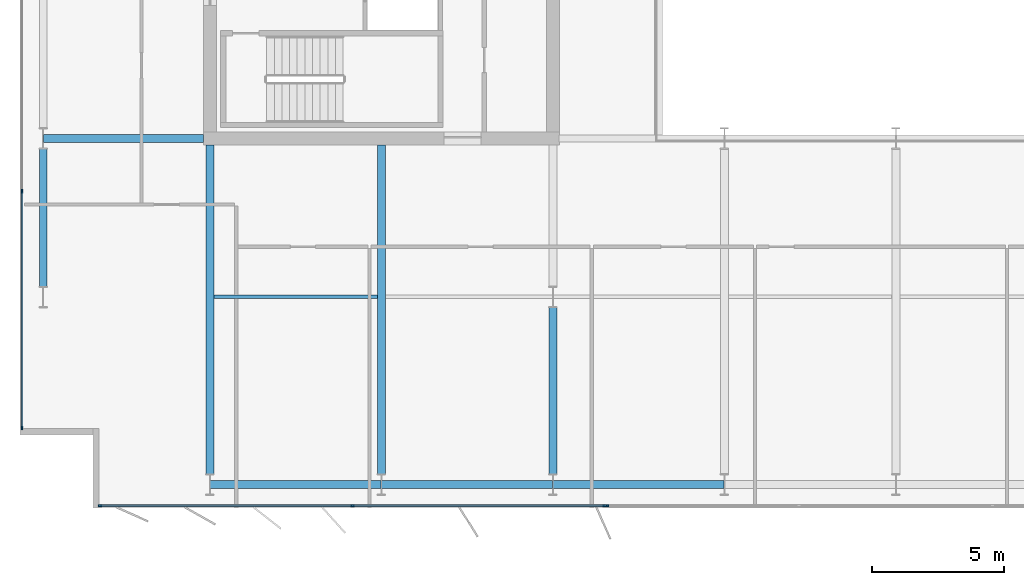
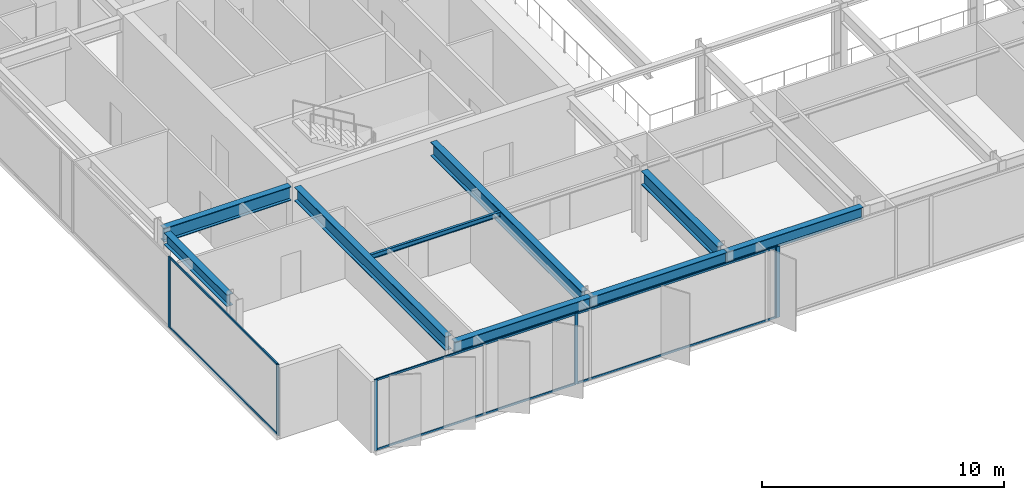
# One storey, part 3 of 24: 12 members, 9 beams, 3 elements without a shape of their own.
"""IFC4 building model written with IfcOpenShell, lengths in metres."""

import ifcopenshell
import ifcopenshell.guid

model = None  # the IFC model being written
_history = None  # IfcOwnerHistory: only IFC2X3 demands one
_inside = {}  # id of a spatial element -> (the spatial element, [elements in it])
_under = {}  # id of a project, library or spatial element -> (it, [spatial elements below it])
_declared = {}  # id of a project -> (the project, [libraries it declares])
_typed = {}  # id of a type object -> (the type object, [elements of that type])
_made_of = {}  # id of a material, layer set ... -> (it, [elements and type objects made of it])


def new_model(schema):
    """Start an empty IFC model of exactly this schema.

    Asked for "IFC4X3", IfcOpenShell would pick the latest addendum, in which some entities
    have other attributes; the version numbers below select the first issue.
    IFC2X3 requires an IfcOwnerHistory on every rooted entity: one is made here for all.
    """
    global model, _history
    if schema == "IFC4X3":
        model = ifcopenshell.file(schema_version=(4, 3, 0, 0))
    else:
        model = ifcopenshell.file(schema=schema)
    _inside.clear()
    _under.clear()
    _declared.clear()
    _typed.clear()
    _made_of.clear()
    _history = None
    if model.schema == "IFC2X3":
        org = make("IfcOrganization", Name="unknown")
        user = make(
            "IfcPersonAndOrganization",
            ThePerson=make("IfcPerson", FamilyName="unknown"),
            TheOrganization=org,
        )
        app = make(
            "IfcApplication",
            ApplicationDeveloper=org,
            Version="unknown",
            ApplicationFullName="unknown",
            ApplicationIdentifier="unknown",
        )
        _history = make(
            "IfcOwnerHistory",
            OwningUser=user,
            OwningApplication=app,
            ChangeAction="ADDED",
            CreationDate=0,
        )
    return model


def make(cls, **values):
    """One entity of the class cls with the attributes given. An attribute that is None is left unset."""
    return model.create_entity(
        cls, **{name: value for name, value in values.items() if value is not None}
    )


def rooted(cls, **values):
    """An entity with a GlobalId (a new one), such as an element, a storey or a relation."""
    return make(cls, GlobalId=ifcopenshell.guid.new(), OwnerHistory=_history, **values)


def si_unit(unit_type, name, prefix=None):
    """IfcSIUnit, for example si_unit("LENGTHUNIT", "METRE", prefix="MILLI")."""
    return make("IfcSIUnit", UnitType=unit_type, Prefix=prefix, Name=name)


def assignment(units):
    """IfcUnitAssignment: the units of a project."""
    return None if units is None else make("IfcUnitAssignment", Units=units)


def point(xyz):
    """IfcCartesianPoint."""
    return None if xyz is None else make("IfcCartesianPoint", Coordinates=xyz)


def direction(xyz):
    """IfcDirection."""
    return None if xyz is None else make("IfcDirection", DirectionRatios=xyz)


def frame(location, z_axis=None, x_axis=None):
    """IfcAxis2Placement3D, a coordinate frame: its origin and axes. An axis left out is left unset."""
    return make(
        "IfcAxis2Placement3D",
        Location=point(location),
        Axis=direction(z_axis),
        RefDirection=direction(x_axis),
    )


def frame_2d(location, x_axis=None):
    """IfcAxis2Placement2D, a coordinate frame in the plane: its origin and x axis."""
    return make(
        "IfcAxis2Placement2D", Location=point(location), RefDirection=direction(x_axis)
    )


def origin():
    """The frame at (0, 0, 0) with its axes left unset."""
    return frame((0.0, 0.0, 0.0))


def origin_2d():
    """The frame at (0, 0) in the plane with its x axis left unset."""
    return frame_2d((0.0, 0.0))


def place(relative_to, where):
    """IfcLocalPlacement: puts the frame where relative to a parent placement (None: the world)."""
    return make(
        "IfcLocalPlacement", PlacementRelTo=relative_to, RelativePlacement=where
    )


def context(
    kind, dimensions, precision=None, world=None, true_north=None, identifier=None
):
    """IfcGeometricRepresentationContext, for example the 3D "Model" context."""
    return make(
        "IfcGeometricRepresentationContext",
        ContextIdentifier=identifier,
        ContextType=kind,
        CoordinateSpaceDimension=dimensions,
        Precision=precision,
        WorldCoordinateSystem=world,
        TrueNorth=true_north,
    )


def subcontext(parent, identifier, kind, view, scale=None):
    """IfcGeometricRepresentationSubContext, for example "Body" below "Model"."""
    return make(
        "IfcGeometricRepresentationSubContext",
        ContextIdentifier=identifier,
        ContextType=kind,
        ParentContext=parent,
        TargetScale=scale,
        TargetView=view,
    )


def project(units=None, contexts=None):
    """IfcProject with its units and contexts."""
    return rooted(
        "IfcProject",
        Name="project",
        RepresentationContexts=contexts,
        UnitsInContext=assignment(units),
    )


def spatial(cls, under=None, at=None, **own):
    """A site, building, storey or space (cls), placed at a placement, below another one or the project."""
    s = rooted(cls, ObjectPlacement=at, **own)
    if under is not None:
        _under.setdefault(under.id(), (under, []))[1].append(s)
    return s


def profile(cls, at=None, kind="AREA", **sizes):
    """A parametric profile (cls). Its sizes go by their IFC names, for example OverallWidth=200.0."""
    return make(cls, ProfileType=kind, Position=at, **sizes)


def rectangle(**sizes):
    """IfcRectangleProfileDef."""
    return profile("IfcRectangleProfileDef", **sizes)


def i_section(**sizes):
    """IfcIShapeProfileDef."""
    return profile("IfcIShapeProfileDef", **sizes)


def extrude(swept, where, along, depth):
    """IfcExtrudedAreaSolid: the profile swept, set in the frame where, extruded along a direction by depth."""
    return make(
        "IfcExtrudedAreaSolid",
        SweptArea=swept,
        Position=where,
        ExtrudedDirection=direction(along),
        Depth=depth,
    )


def shape(context_of_items, identifier, shape_type, items):
    """IfcShapeRepresentation: the items that make up one representation, for example the "Body"."""
    return make(
        "IfcShapeRepresentation",
        ContextOfItems=context_of_items,
        RepresentationIdentifier=identifier,
        RepresentationType=shape_type,
        Items=items,
    )


def material(Name=None, Category=None):
    """IfcMaterial."""
    return make("IfcMaterial", Name=Name, Category=Category)


def layer(
    of_material, thickness, ventilated=None, Name=None, Category=None, Priority=None
):
    """IfcMaterialLayer: one layer of a wall or slab, of a material (None: an air gap)."""
    return make(
        "IfcMaterialLayer",
        Material=of_material,
        LayerThickness=thickness,
        IsVentilated=ventilated,
        Name=Name,
        Category=Category,
        Priority=Priority,
    )


def layer_set(layers, Name=None):
    """IfcMaterialLayerSet."""
    return make("IfcMaterialLayerSet", MaterialLayers=layers, LayerSetName=Name)


def material_profile(
    of_material, cross_section, Name=None, Category=None, Priority=None
):
    """IfcMaterialProfile: a cross section and its material."""
    return make(
        "IfcMaterialProfile",
        Name=Name,
        Material=of_material,
        Profile=cross_section,
        Priority=Priority,
        Category=Category,
    )


def profile_set(profiles, Name=None, composite=None):
    """IfcMaterialProfileSet."""
    return make(
        "IfcMaterialProfileSet",
        Name=Name,
        MaterialProfiles=profiles,
        CompositeProfile=composite,
    )


def made_of(thing, what):
    """Note that an element or type object is made of a material, layer set ...; save() writes the relation."""
    if what is not None:
        _made_of.setdefault(what.id(), (what, []))[1].append(thing)
    return thing


def type_object(cls, material=None, **own):
    """A type object (cls), such as IfcWallType, which elements share."""
    return made_of(rooted(cls, **own), material)


def element(
    cls,
    number,
    at=None,
    inside=None,
    cuts=None,
    type_object=None,
    material=None,
    context=None,
    identifier="Body",
    shape_type=None,
    held_by="IfcProductDefinitionShape",
    body=None,
    shapes=None,
    **own,
):
    """One element of the class cls, such as IfcWall. Its Tag is "e" and its number.

    at: its placement. inside: the storey or other place that contains it. cuts: it is an
    opening in that element (IfcRelVoidsElement). A single representation is given by context,
    identifier, shape_type and body (its items); several are given by shapes. held_by: the class
    of the entity that holds the representations. save() writes the other relations.
    """
    e = rooted(cls, Tag="e%d" % number, ObjectPlacement=at, **own)
    if body is not None:
        shapes = [shape(context, identifier, shape_type, body)]
    if shapes is not None:
        e.Representation = make(held_by, Representations=shapes)
    if inside is not None:
        _inside.setdefault(inside.id(), (inside, []))[1].append(e)
    if cuts is not None:
        rooted(
            "IfcRelVoidsElement", RelatingBuildingElement=cuts, RelatedOpeningElement=e
        )
    if type_object is not None:
        _typed.setdefault(type_object.id(), (type_object, []))[1].append(e)
    return made_of(e, material)


def aggregate(whole, parts):
    """IfcRelAggregates: a whole, such as a stair, and the parts it consists of."""
    return rooted("IfcRelAggregates", RelatingObject=whole, RelatedObjects=parts)


def save(model, path):
    """Write the relations noted so far, then the file.

    IfcRelAggregates (storeys below a building ...), IfcRelContainedInSpatialStructure (elements
    in a storey), IfcRelDefinesByType, IfcRelAssociatesMaterial and IfcRelDeclares: one each for
    every whole, place, type object, material and project.
    """
    for whole, parts in _under.values():
        aggregate(whole, parts)
    for where, things in _inside.values():
        rooted(
            "IfcRelContainedInSpatialStructure",
            RelatedElements=things,
            RelatingStructure=where,
        )
    for kind, things in _typed.values():
        rooted("IfcRelDefinesByType", RelatedObjects=things, RelatingType=kind)
    for what, things in _made_of.values():
        rooted("IfcRelAssociatesMaterial", RelatedObjects=things, RelatingMaterial=what)
    for by, libraries in _declared.values():
        rooted("IfcRelDeclares", RelatingContext=by, RelatedDefinitions=libraries)
    model.write(path)


model = new_model("IFC4")

# Units and contexts
model_context = context("Model", 3, precision=1e-05, world=origin(), true_north=direction((0.0, 1.0)))
body_context = subcontext(model_context, "Body", "Model", "MODEL_VIEW")
ifc_project = project(units=[si_unit("LENGTHUNIT", "METRE"), si_unit("AREAUNIT", "SQUARE_METRE"), si_unit("VOLUMEUNIT", "CUBIC_METRE"), si_unit("PLANEANGLEUNIT", "RADIAN"), si_unit("MASSUNIT", "GRAM", prefix="KILO")], contexts=[model_context])

# Site, building, storey
site_placement = place(None, origin())
site = spatial("IfcSite", under=ifc_project, at=site_placement, CompositionType="ELEMENT")
building_placement = place(site_placement, origin())
building = spatial("IfcBuilding", under=site, at=building_placement, Name="Putna Gate Headquarters", CompositionType="ELEMENT")
storey_placement = place(building_placement, frame((0.0, 0.0, 248.0)))
storey = spatial("IfcBuildingStorey", under=building, at=storey_placement, Name="L62", CompositionType="ELEMENT", Elevation=248.0)

# Beams
ifc_material_1 = material(Name="Steel S355J2", Category="steel")
ifc_material_profile_1 = material_profile(ifc_material_1, i_section(OverallWidth=0.300048828125, OverallDepth=0.699951171875, WebThickness=0.01708984375, FlangeThickness=0.031982421875, at=origin_2d()), Name="Steel S355J2")
ifc_profile_set_1 = profile_set([ifc_material_profile_1], Name="Steel S355J2")
beam_type_1 = type_object("IfcBeamType", Name="BM-GIRD-B-HEB700", PredefinedType="USERDEFINED", material=ifc_profile_set_1)
beam_1_placement = place(storey_placement, frame((6.68603515625, 19.0, 3.22998046875), z_axis=(1.0, 0.0, 0.0), x_axis=(0.0, 1.0, 0.0)))
element("IfcBeam", 1, at=beam_1_placement, inside=storey, type_object=beam_type_1, Name="L62 West Wing Girder Y19", ObjectType="GIRDER", PredefinedType="USERDEFINED", context=body_context, shape_type="SweptSolid", body=[
    extrude(i_section(OverallWidth=0.300048828125, OverallDepth=0.699951171875, WebThickness=0.01708984375, FlangeThickness=0.031982421875, at=origin_2d()), origin(), (0.0, 0.0, 1.0), 6.078857421875),
])
for number, where, z_axis, x_axis, name in (
    (2, (13.0, 6.27490234375, 3.22998046875), (0.0, 1.0, 0.0), (-1.0, 0.0, 0.0), "L62 South Primary Girder X13"),
    (3, (19.5, 6.27490234375, 3.22998046875), (0.0, 1.0, 0.0), (-1.0, 0.0, 0.0), "L62 South Primary Girder X19"),
):
    element("IfcBeam", number, at=place(storey_placement, frame(where, z_axis=z_axis, x_axis=x_axis)), inside=storey, type_object=beam_type_1, Name=name, ObjectType="GIRDER", PredefinedType="USERDEFINED", context=body_context, shape_type="SweptSolid", body=[
        extrude(i_section(OverallWidth=0.300048828125, OverallDepth=0.699951171875, WebThickness=0.01708984375, FlangeThickness=0.031982421875, at=origin_2d()), origin(), (0.0, 0.0, 1.0), 12.489990234375),
    ])
beam_2_placement = place(storey_placement, frame((26.0, 6.27490234375, 3.22998046875), z_axis=(0.0, 1.0, 0.0), x_axis=(-1.0, 0.0, 0.0)))
element("IfcBeam", 4, at=beam_2_placement, inside=storey, type_object=beam_type_1, Name="L62 South Primary Girder X26-1", ObjectType="GIRDER", PredefinedType="USERDEFINED", context=body_context, shape_type="SweptSolid", body=[
    extrude(i_section(OverallWidth=0.300048828125, OverallDepth=0.699951171875, WebThickness=0.01708984375, FlangeThickness=0.031982421875, at=origin_2d()), origin(), (0.0, 0.0, 1.0), 6.330078125),
])
ifc_material_profile_2 = material_profile(ifc_material_1, i_section(OverallWidth=0.1201171875, OverallDepth=0.239990234375, WebThickness=0.006103515625, FlangeThickness=0.009765625, at=origin_2d()), Name="Steel S355J2")
ifc_profile_set_2 = profile_set([ifc_material_profile_2], Name="Steel S355J2")
beam_type_2 = type_object("IfcBeamType", Name="BM-SEC-Z4-IPE240", PredefinedType="JOIST", material=ifc_profile_set_2)
beam_3_placement = place(storey_placement, frame((13.154052734375, 13.0, 3.4599609375), z_axis=(1.0, 0.0, 0.0), x_axis=(0.0, 1.0, 0.0)))
element("IfcBeam", 5, at=beam_3_placement, inside=storey, type_object=beam_type_2, Name="L62 South Secondary Beam 1", PredefinedType="JOIST", context=body_context, shape_type="SweptSolid", body=[
    extrude(i_section(OverallWidth=0.1201171875, OverallDepth=0.239990234375, WebThickness=0.006103515625, FlangeThickness=0.009765625, at=origin_2d()), origin(), (0.0, 0.0, 1.0), 6.19189453125),
])
ifc_material_profile_3 = material_profile(ifc_material_1, i_section(OverallWidth=0.300048828125, OverallDepth=0.590087890625, WebThickness=0.012939453125, FlangeThickness=0.02490234375, at=origin_2d()), Name="Steel S355J2")
ifc_profile_set_3 = profile_set([ifc_material_profile_3], Name="Steel S355J2")
beam_type_3 = type_object("IfcBeamType", Name="BM-SPAN-Z4-HEA600", PredefinedType="SPANDREL", material=ifc_profile_set_3)
for number, where, z_axis, x_axis, name in (
    (6, (13.006103515625, 5.8798828125, 3.284912109375), (1.0, 0.0, 0.0), (0.0, 1.0, 0.0), "L62 S Perimeter Spandrel 1"),
    (7, (19.506103515625, 5.8798828125, 3.284912109375), (1.0, 0.0, 0.0), (0.0, 1.0, 0.0), "L62 S Perimeter Spandrel 2"),
    (8, (26.006103515625, 5.8798828125, 3.284912109375), (1.0, 0.0, 0.0), (0.0, 1.0, 0.0), "L62 S Perimeter Spandrel 3"),
):
    element("IfcBeam", number, at=place(storey_placement, frame(where, z_axis=z_axis, x_axis=x_axis)), inside=storey, type_object=beam_type_3, Name=name, PredefinedType="SPANDREL", context=body_context, shape_type="SweptSolid", body=[
        extrude(i_section(OverallWidth=0.300048828125, OverallDepth=0.590087890625, WebThickness=0.012939453125, FlangeThickness=0.02490234375, at=origin_2d()), origin(), (0.0, 0.0, 1.0), 6.48779296875),
    ])
beam_4_placement = place(storey_placement, frame((6.679931640625, 13.39501953125, 3.284912109375), z_axis=(0.0, 1.0, 0.0), x_axis=(-1.0, 0.0, 0.0)))
element("IfcBeam", 9, at=beam_4_placement, inside=storey, type_object=beam_type_3, Name="L62 W End Spandrel 1", PredefinedType="SPANDREL", context=body_context, shape_type="SweptSolid", body=[
    extrude(i_section(OverallWidth=0.300048828125, OverallDepth=0.590087890625, WebThickness=0.012939453125, FlangeThickness=0.02490234375, at=origin_2d()), origin(), (0.0, 0.0, 1.0), 5.2099609375),
])

# Curtain wall, members
ifc_material_2 = material(Name="Anodised bronze aluminium curtain wall", Category="aluminium")
ifc_layer_1 = layer(ifc_material_2, 0.139892578125)
ifc_layer_set_1 = layer_set([ifc_layer_1], Name="Anodised bronze aluminium curtain wall")
curtain_wall_type_1 = type_object("IfcCurtainWallType", Name="CW-SYS-Z4", PredefinedType="USERDEFINED", material=ifc_layer_set_1)
curtain_wall_1_placement = place(storey_placement, origin())
curtain_wall_1 = element("IfcCurtainWall", 10, at=curtain_wall_1_placement, inside=storey, type_object=curtain_wall_type_1, Name="L62 South West Curtain Wall", ObjectType="STICK CURTAIN WALL", PredefinedType="USERDEFINED")
ifc_material_3 = material(Name="Anodised bronze aluminium EN AW-6060", Category="aluminium")
ifc_material_profile_4 = material_profile(ifc_material_3, rectangle(XDim=0.06005859375, YDim=0.139892578125, at=origin_2d()), Name="Anodised bronze aluminium EN AW-6060")
ifc_profile_set_4 = profile_set([ifc_material_profile_4], Name="Anodised bronze aluminium EN AW-6060")
member_type_1 = type_object("IfcMemberType", Name="MULL-CWM-4", PredefinedType="MULLION", material=ifc_profile_set_4)
member_1_placement = place(storey_placement, frame((8.830078125, 5.080078125, 0.0), z_axis=(0.0, 0.0, 1.0), x_axis=(0.0, 1.0, 0.0)))
member_1 = element("IfcMember", 11, at=member_1_placement, type_object=member_type_1, Name="CWS-4 mullion 1", PredefinedType="MULLION", context=body_context, shape_type="SweptSolid", body=[
    extrude(rectangle(XDim=0.06005859375, YDim=0.139892578125, at=origin_2d()), origin(), (0.0, 0.0, 1.0), 3.580078125),
])
member_2_placement = place(storey_placement, frame((18.39990234375, 5.080078125, 0.0), z_axis=(0.0, 0.0, 1.0), x_axis=(0.0, 1.0, 0.0)))
member_2 = element("IfcMember", 12, at=member_2_placement, type_object=member_type_1, Name="CWS-4 mullion 2", PredefinedType="MULLION", context=body_context, shape_type="SweptSolid", body=[
    extrude(rectangle(XDim=0.06005859375, YDim=0.139892578125, at=origin_2d()), origin(), (0.0, 0.0, 1.0), 3.580078125),
])
member_3_placement = place(storey_placement, frame((27.969970703125, 5.080078125, 0.0), z_axis=(0.0, 0.0, 1.0), x_axis=(0.0, 1.0, 0.0)))
member_3 = element("IfcMember", 13, at=member_3_placement, type_object=member_type_1, Name="CWS-4 mullion 3", PredefinedType="MULLION", context=body_context, shape_type="SweptSolid", body=[
    extrude(rectangle(XDim=0.06005859375, YDim=0.139892578125, at=origin_2d()), origin(), (0.0, 0.0, 1.0), 3.580078125),
])

curtain_wall_2_placement = place(storey_placement, origin())
curtain_wall_2 = element("IfcCurtainWall", 14, at=curtain_wall_2_placement, inside=storey, type_object=curtain_wall_type_1, Name="L62 West Curtain Wall", ObjectType="STICK CURTAIN WALL", PredefinedType="USERDEFINED")
member_4_placement = place(storey_placement, frame((5.8798828125, 8.030029296875, 0.0), z_axis=(0.0, 0.0, 1.0), x_axis=(-1.0, 0.0, 0.0)))
member_4 = element("IfcMember", 15, at=member_4_placement, type_object=member_type_1, Name="CWS-4 mullion 1", PredefinedType="MULLION", context=body_context, shape_type="SweptSolid", body=[
    extrude(rectangle(XDim=0.06005859375, YDim=0.139892578125, at=origin_2d()), origin(), (0.0, 0.0, 1.0), 3.580078125),
])
member_5_placement = place(storey_placement, frame((5.8798828125, 17.0, 0.0), z_axis=(0.0, 0.0, 1.0), x_axis=(-1.0, 0.0, 0.0)))
member_5 = element("IfcMember", 16, at=member_5_placement, type_object=member_type_1, Name="CWS-4 mullion 2", PredefinedType="MULLION", context=body_context, shape_type="SweptSolid", body=[
    extrude(rectangle(XDim=0.06005859375, YDim=0.139892578125, at=origin_2d()), origin(), (0.0, 0.0, 1.0), 3.580078125),
])

# Curtain wall, member
ifc_layer_2 = layer(ifc_material_2, 0.179931640625)
ifc_layer_set_2 = layer_set([ifc_layer_2], Name="Anodised bronze aluminium curtain wall")
curtain_wall_type_2 = type_object("IfcCurtainWallType", Name="CW-SYS-ATR", PredefinedType="USERDEFINED", material=ifc_layer_set_2)
curtain_wall_3_placement = place(storey_placement, origin())
curtain_wall_3 = element("IfcCurtainWall", 17, at=curtain_wall_3_placement, inside=storey, type_object=curtain_wall_type_2, Name="L62 South Atrium Clear Glazing", ObjectType="ATRIUM GLAZING", PredefinedType="USERDEFINED")
ifc_material_profile_5 = material_profile(ifc_material_3, rectangle(XDim=0.070068359375, YDim=0.179931640625, at=origin_2d()), Name="Anodised bronze aluminium EN AW-6060")
ifc_profile_set_5 = profile_set([ifc_material_profile_5], Name="Anodised bronze aluminium EN AW-6060")
member_type_2 = type_object("IfcMemberType", Name="MULL-CWM-AT", PredefinedType="MULLION", material=ifc_profile_set_5)
member_6_placement = place(storey_placement, frame((28.034912109375, 5.080078125, 0.0), z_axis=(0.0, 0.0, 1.0), x_axis=(0.0, 1.0, 0.0)))
member_6 = element("IfcMember", 18, at=member_6_placement, type_object=member_type_2, Name="CWS-AT mullion 1", PredefinedType="MULLION", context=body_context, shape_type="SweptSolid", body=[
    extrude(rectangle(XDim=0.070068359375, YDim=0.179931640625, at=origin_2d()), origin(), (0.0, 0.0, 1.0), 3.580078125),
])
aggregate(curtain_wall_3, [member_6])

# Member
ifc_material_profile_6 = material_profile(ifc_material_3, rectangle(XDim=0.06005859375, YDim=0.10009765625, at=origin_2d()), Name="Anodised bronze aluminium EN AW-6060")
ifc_profile_set_6 = profile_set([ifc_material_profile_6], Name="Anodised bronze aluminium EN AW-6060")
member_type_3 = type_object("IfcMemberType", Name="TRAN-CWT-4", PredefinedType="USERDEFINED", material=ifc_profile_set_6)
member_7_placement = place(storey_placement, frame((8.860107421875, 5.080078125, 0.030029296875), z_axis=(1.0, 0.0, 0.0), x_axis=(0.0, 1.0, 0.0)))
member_7 = element("IfcMember", 19, at=member_7_placement, type_object=member_type_3, Name="CWS-4 transom 1.1", ObjectType="TRANSOM", PredefinedType="USERDEFINED", context=body_context, shape_type="SweptSolid", body=[
    extrude(rectangle(XDim=0.06005859375, YDim=0.10009765625, at=origin_2d()), origin(), (0.0, 0.0, 1.0), 9.510009765625),
])

member_8_placement = place(storey_placement, frame((8.860107421875, 5.080078125, 3.550048828125), z_axis=(1.0, 0.0, 0.0), x_axis=(0.0, 1.0, 0.0)))
member_8 = element("IfcMember", 20, at=member_8_placement, type_object=member_type_3, Name="CWS-4 transom 1.2", ObjectType="TRANSOM", PredefinedType="USERDEFINED", context=body_context, shape_type="SweptSolid", body=[
    extrude(rectangle(XDim=0.06005859375, YDim=0.10009765625, at=origin_2d()), origin(), (0.0, 0.0, 1.0), 9.510009765625),
])

member_9_placement = place(storey_placement, frame((18.429931640625, 5.080078125, 0.030029296875), z_axis=(1.0, 0.0, 0.0), x_axis=(0.0, 1.0, 0.0)))
member_9 = element("IfcMember", 21, at=member_9_placement, type_object=member_type_3, Name="CWS-4 transom 2.1", ObjectType="TRANSOM", PredefinedType="USERDEFINED", context=body_context, shape_type="SweptSolid", body=[
    extrude(rectangle(XDim=0.06005859375, YDim=0.10009765625, at=origin_2d()), origin(), (0.0, 0.0, 1.0), 9.510009765625),
])

member_10_placement = place(storey_placement, frame((18.429931640625, 5.080078125, 3.550048828125), z_axis=(1.0, 0.0, 0.0), x_axis=(0.0, 1.0, 0.0)))
member_10 = element("IfcMember", 22, at=member_10_placement, type_object=member_type_3, Name="CWS-4 transom 2.2", ObjectType="TRANSOM", PredefinedType="USERDEFINED", context=body_context, shape_type="SweptSolid", body=[
    extrude(rectangle(XDim=0.06005859375, YDim=0.10009765625, at=origin_2d()), origin(), (0.0, 0.0, 1.0), 9.510009765625),
])

aggregate(curtain_wall_1, [member_1, member_2, member_3, member_7, member_8, member_9, member_10])

member_11_placement = place(storey_placement, frame((5.8798828125, 8.06005859375, 0.030029296875), z_axis=(0.0, 1.0, 0.0), x_axis=(-1.0, 0.0, 0.0)))
member_11 = element("IfcMember", 23, at=member_11_placement, type_object=member_type_3, Name="CWS-4 transom 1.1", ObjectType="TRANSOM", PredefinedType="USERDEFINED", context=body_context, shape_type="SweptSolid", body=[
    extrude(rectangle(XDim=0.06005859375, YDim=0.10009765625, at=origin_2d()), origin(), (0.0, 0.0, 1.0), 8.909912109375),
])

member_12_placement = place(storey_placement, frame((5.8798828125, 8.06005859375, 3.550048828125), z_axis=(0.0, 1.0, 0.0), x_axis=(-1.0, 0.0, 0.0)))
member_12 = element("IfcMember", 24, at=member_12_placement, type_object=member_type_3, Name="CWS-4 transom 1.2", ObjectType="TRANSOM", PredefinedType="USERDEFINED", context=body_context, shape_type="SweptSolid", body=[
    extrude(rectangle(XDim=0.06005859375, YDim=0.10009765625, at=origin_2d()), origin(), (0.0, 0.0, 1.0), 8.909912109375),
])

aggregate(curtain_wall_2, [member_4, member_5, member_11, member_12])

save(model, "model.ifc")
